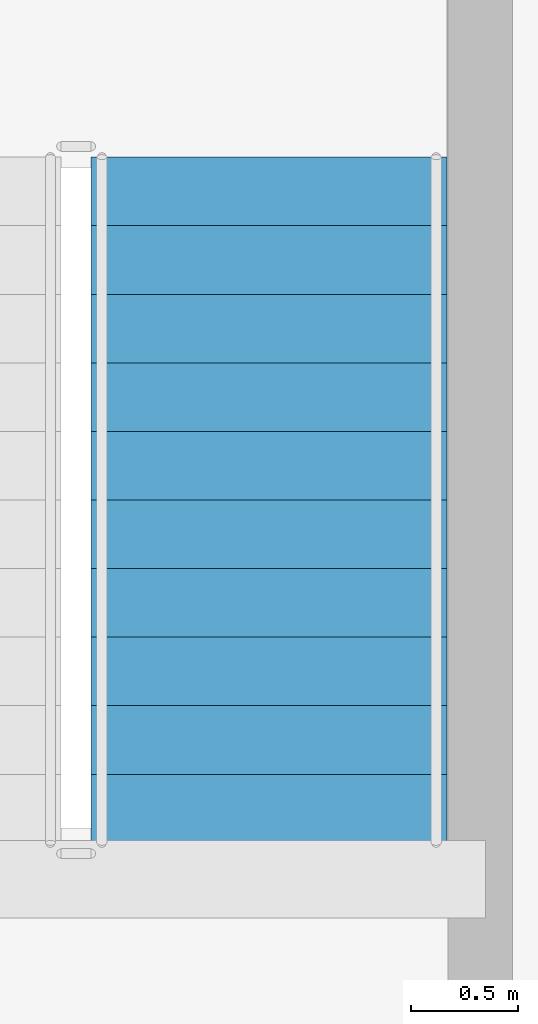
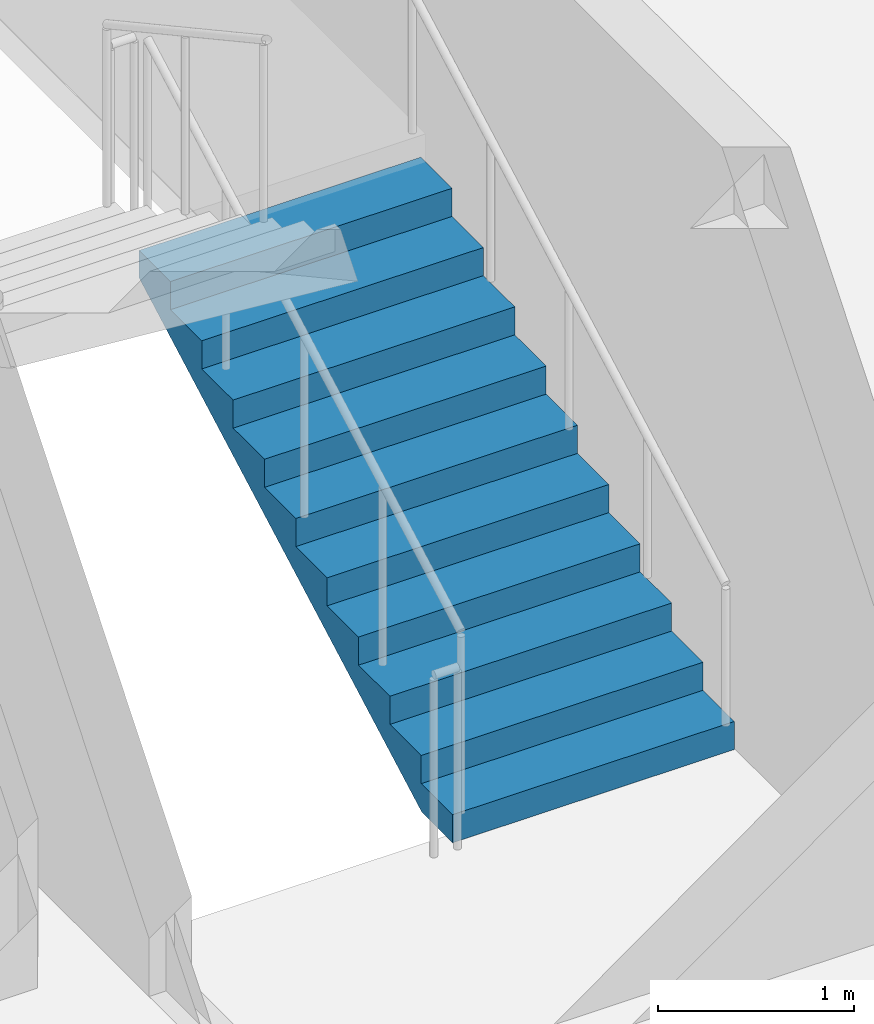
# One storey, part 21 of 22: 1 stair flight, 1 element without a shape of its own.
"""IFC4 building model written with IfcOpenShell, lengths in metres."""

from ifc_helpers import new_model, si_unit, direction, frame, origin, place, context, subcontext, project, spatial, polyline, outline, extrude, material, type_object, element, aggregate, save


model = new_model("IFC4")

# Units and contexts
model_context = context("Model", 3, precision=1e-05, world=origin(), true_north=direction((0.0, 1.0)))
body_context = subcontext(model_context, "Body", "Model", "MODEL_VIEW")
ifc_project = project(units=[si_unit("LENGTHUNIT", "METRE"), si_unit("AREAUNIT", "SQUARE_METRE"), si_unit("VOLUMEUNIT", "CUBIC_METRE"), si_unit("PLANEANGLEUNIT", "RADIAN"), si_unit("MASSUNIT", "GRAM", prefix="KILO")], contexts=[model_context])

# Site, building, storey
site_placement = place(None, origin())
site = spatial("IfcSite", under=ifc_project, at=site_placement, CompositionType="ELEMENT")
building_placement = place(site_placement, origin())
building = spatial("IfcBuilding", under=site, at=building_placement, Name="Kallvorn Hotel Tower", CompositionType="ELEMENT")
storey_placement = place(building_placement, frame((0.0, 0.0, 203.050048828125)))
storey = spatial("IfcBuildingStorey", under=building, at=storey_placement, Name="L50", CompositionType="ELEMENT", Elevation=203.050048828125)

# Stair, stair flight
ifc_material_1 = material(Name="Precast concrete C40/50", Category="concrete")
stair_type = type_object("IfcStairType", Name="STR_CORE_DOGLEG", PredefinedType="HALF_TURN_STAIR", material=ifc_material_1)
stair_placement = place(storey_placement, origin())
stair = element("IfcStair", 1, at=stair_placement, inside=storey, type_object=stair_type, Name="L50 Exit stair ST2", PredefinedType="HALF_TURN_STAIR")
ifc_material_2 = material(Name="Precast concrete C40/50", Category="concrete")
stair_flight_type = type_object("IfcStairFlightType", Name="FLT_CORE_1660", PredefinedType="STRAIGHT", material=ifc_material_2)
stair_flight_placement = place(storey_placement, frame((13.22998046875, -3.139892578125, 0.0), z_axis=(0.0, 0.0, 1.0), x_axis=(0.0, 1.0, 0.0)))
stair_flight = element("IfcStairFlight", 2, at=stair_flight_placement, type_object=stair_flight_type, Name="ST2 flight 1", NumberOfRisers=11, NumberOfTreads=10, PredefinedType="STRAIGHT", RiserHeight=0.175, TreadLength=0.32, context=body_context, shape_type="SweptSolid", body=[
    extrude(outline(polyline([(0.0, 0.0), (0.0, 0.175048828125), (0.320068359375, 0.175048828125), (0.320068359375, 0.35009765625), (0.639892578125, 0.35009765625), (0.639892578125, 0.52490234375), (0.9599609375, 0.52490234375), (0.9599609375, 0.699951171875), (1.280029296875, 0.699951171875), (1.280029296875, 0.875), (1.60009765625, 0.875), (1.60009765625, 1.050048828125), (1.919921875, 1.050048828125), (1.919921875, 1.22509765625), (2.239990234375, 1.22509765625), (2.239990234375, 1.39990234375), (2.56005859375, 1.39990234375), (2.56005859375, 1.574951171875), (2.8798828125, 1.574951171875), (2.8798828125, 1.75), (3.199951171875, 1.75), (3.199951171875, 1.925048828125), (3.199951171875, 1.5791015625), (0.3125, 0.0), (0.0, 0.0)])), frame((0.0, 0.830078125, 0.0), z_axis=(0.0, -1.0, 0.0), x_axis=(1.0, 0.0, 0.0)), (0.0, 0.0, 1.0), 1.659912109375),
])
aggregate(stair, [stair_flight])

save(model, "model.ifc")
